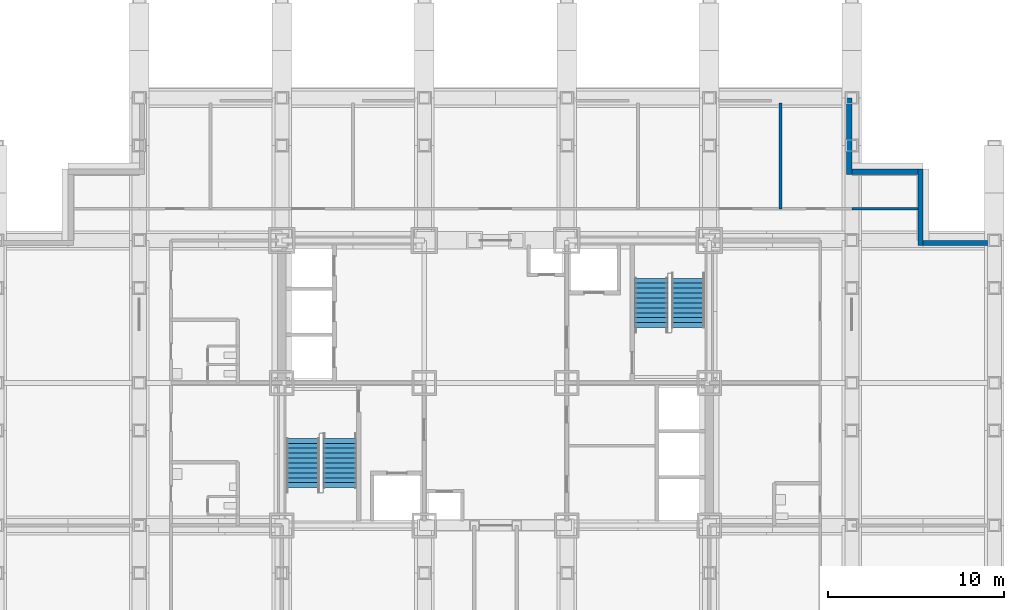
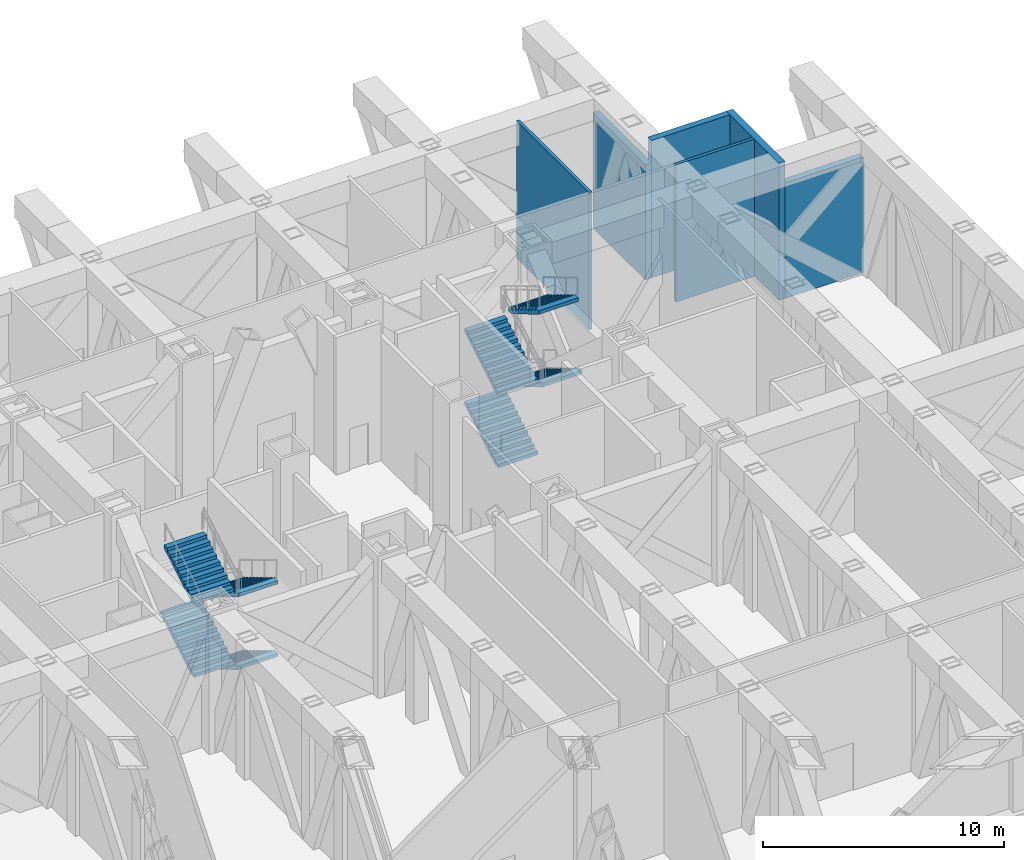
# One storey, part 11 of 13: 8 stair flights, 6 walls, 2 elements without a shape of their own.
"""IFC4 building model written with IfcOpenShell, lengths in metres."""

import ifcopenshell
import ifcopenshell.guid

model = None  # the IFC model being written
_history = None  # IfcOwnerHistory: only IFC2X3 demands one
_inside = {}  # id of a spatial element -> (the spatial element, [elements in it])
_under = {}  # id of a project, library or spatial element -> (it, [spatial elements below it])
_declared = {}  # id of a project -> (the project, [libraries it declares])
_typed = {}  # id of a type object -> (the type object, [elements of that type])
_made_of = {}  # id of a material, layer set ... -> (it, [elements and type objects made of it])


def new_model(schema):
    """Start an empty IFC model of exactly this schema.

    Asked for "IFC4X3", IfcOpenShell would pick the latest addendum, in which some entities
    have other attributes; the version numbers below select the first issue.
    IFC2X3 requires an IfcOwnerHistory on every rooted entity: one is made here for all.
    """
    global model, _history
    if schema == "IFC4X3":
        model = ifcopenshell.file(schema_version=(4, 3, 0, 0))
    else:
        model = ifcopenshell.file(schema=schema)
    _inside.clear()
    _under.clear()
    _declared.clear()
    _typed.clear()
    _made_of.clear()
    _history = None
    if model.schema == "IFC2X3":
        org = make("IfcOrganization", Name="unknown")
        user = make(
            "IfcPersonAndOrganization",
            ThePerson=make("IfcPerson", FamilyName="unknown"),
            TheOrganization=org,
        )
        app = make(
            "IfcApplication",
            ApplicationDeveloper=org,
            Version="unknown",
            ApplicationFullName="unknown",
            ApplicationIdentifier="unknown",
        )
        _history = make(
            "IfcOwnerHistory",
            OwningUser=user,
            OwningApplication=app,
            ChangeAction="ADDED",
            CreationDate=0,
        )
    return model


def make(cls, **values):
    """One entity of the class cls with the attributes given. An attribute that is None is left unset."""
    return model.create_entity(
        cls, **{name: value for name, value in values.items() if value is not None}
    )


def rooted(cls, **values):
    """An entity with a GlobalId (a new one), such as an element, a storey or a relation."""
    return make(cls, GlobalId=ifcopenshell.guid.new(), OwnerHistory=_history, **values)


def si_unit(unit_type, name, prefix=None):
    """IfcSIUnit, for example si_unit("LENGTHUNIT", "METRE", prefix="MILLI")."""
    return make("IfcSIUnit", UnitType=unit_type, Prefix=prefix, Name=name)


def assignment(units):
    """IfcUnitAssignment: the units of a project."""
    return None if units is None else make("IfcUnitAssignment", Units=units)


def point(xyz):
    """IfcCartesianPoint."""
    return None if xyz is None else make("IfcCartesianPoint", Coordinates=xyz)


def direction(xyz):
    """IfcDirection."""
    return None if xyz is None else make("IfcDirection", DirectionRatios=xyz)


def frame(location, z_axis=None, x_axis=None):
    """IfcAxis2Placement3D, a coordinate frame: its origin and axes. An axis left out is left unset."""
    return make(
        "IfcAxis2Placement3D",
        Location=point(location),
        Axis=direction(z_axis),
        RefDirection=direction(x_axis),
    )


def frame_2d(location, x_axis=None):
    """IfcAxis2Placement2D, a coordinate frame in the plane: its origin and x axis."""
    return make(
        "IfcAxis2Placement2D", Location=point(location), RefDirection=direction(x_axis)
    )


def origin():
    """The frame at (0, 0, 0) with its axes left unset."""
    return frame((0.0, 0.0, 0.0))


def place(relative_to, where):
    """IfcLocalPlacement: puts the frame where relative to a parent placement (None: the world)."""
    return make(
        "IfcLocalPlacement", PlacementRelTo=relative_to, RelativePlacement=where
    )


def context(
    kind, dimensions, precision=None, world=None, true_north=None, identifier=None
):
    """IfcGeometricRepresentationContext, for example the 3D "Model" context."""
    return make(
        "IfcGeometricRepresentationContext",
        ContextIdentifier=identifier,
        ContextType=kind,
        CoordinateSpaceDimension=dimensions,
        Precision=precision,
        WorldCoordinateSystem=world,
        TrueNorth=true_north,
    )


def subcontext(parent, identifier, kind, view, scale=None):
    """IfcGeometricRepresentationSubContext, for example "Body" below "Model"."""
    return make(
        "IfcGeometricRepresentationSubContext",
        ContextIdentifier=identifier,
        ContextType=kind,
        ParentContext=parent,
        TargetScale=scale,
        TargetView=view,
    )


def project(units=None, contexts=None):
    """IfcProject with its units and contexts."""
    return rooted(
        "IfcProject",
        Name="project",
        RepresentationContexts=contexts,
        UnitsInContext=assignment(units),
    )


def spatial(cls, under=None, at=None, **own):
    """A site, building, storey or space (cls), placed at a placement, below another one or the project."""
    s = rooted(cls, ObjectPlacement=at, **own)
    if under is not None:
        _under.setdefault(under.id(), (under, []))[1].append(s)
    return s


def point_list(points):
    """IfcCartesianPointList2D or 3D."""
    cls = (
        "IfcCartesianPointList2D" if len(points[0]) == 2 else "IfcCartesianPointList3D"
    )
    return make(cls, CoordList=points)


def profile(cls, at=None, kind="AREA", **sizes):
    """A parametric profile (cls). Its sizes go by their IFC names, for example OverallWidth=200.0."""
    return make(cls, ProfileType=kind, Position=at, **sizes)


def rectangle(**sizes):
    """IfcRectangleProfileDef."""
    return profile("IfcRectangleProfileDef", **sizes)


def extrude(swept, where, along, depth):
    """IfcExtrudedAreaSolid: the profile swept, set in the frame where, extruded along a direction by depth."""
    return make(
        "IfcExtrudedAreaSolid",
        SweptArea=swept,
        Position=where,
        ExtrudedDirection=direction(along),
        Depth=depth,
    )


def polygons(points, faces, closed=None, point_numbers=None):
    """IfcPolygonalFaceSet: a face is its outer loop, then its inner loops; points numbered from 1."""
    made = []
    for loops in faces:
        if len(loops) == 1:
            made.append(make("IfcIndexedPolygonalFace", CoordIndex=loops[0]))
        else:
            made.append(
                make(
                    "IfcIndexedPolygonalFaceWithVoids",
                    CoordIndex=loops[0],
                    InnerCoordIndices=loops[1:],
                )
            )
    return make(
        "IfcPolygonalFaceSet",
        Coordinates=point_list(points),
        Closed=closed,
        Faces=made,
        PnIndex=point_numbers,
    )


def shape(context_of_items, identifier, shape_type, items):
    """IfcShapeRepresentation: the items that make up one representation, for example the "Body"."""
    return make(
        "IfcShapeRepresentation",
        ContextOfItems=context_of_items,
        RepresentationIdentifier=identifier,
        RepresentationType=shape_type,
        Items=items,
    )


def source(mapping_origin, context_of_items, identifier, shape_type, items):
    """IfcRepresentationMap: a shape defined once, which mapped items show again and again."""
    return make(
        "IfcRepresentationMap",
        MappingOrigin=mapping_origin,
        MappedRepresentation=shape(context_of_items, identifier, shape_type, items),
    )


def transform(
    local_origin,
    x_axis=None,
    y_axis=None,
    z_axis=None,
    scale=None,
    scale2=None,
    scale3=None,
    uniform=True,
):
    """IfcCartesianTransformationOperator3D, or its non-uniform kind. x_axis, y_axis, z_axis: its Axis1, 2, 3."""
    if uniform:
        return make(
            "IfcCartesianTransformationOperator3D",
            Axis1=direction(x_axis),
            Axis2=direction(y_axis),
            LocalOrigin=point(local_origin),
            Scale=scale,
            Axis3=direction(z_axis),
        )
    return make(
        "IfcCartesianTransformationOperator3DnonUniform",
        Axis1=direction(x_axis),
        Axis2=direction(y_axis),
        LocalOrigin=point(local_origin),
        Scale=scale,
        Axis3=direction(z_axis),
        Scale2=scale2,
        Scale3=scale3,
    )


def mapped(mapping_source, mapping_target):
    """IfcMappedItem: shows the shape of a source again, moved by a transform."""
    return make(
        "IfcMappedItem", MappingSource=mapping_source, MappingTarget=mapping_target
    )


def material(Name=None, Category=None):
    """IfcMaterial."""
    return make("IfcMaterial", Name=Name, Category=Category)


def layer(
    of_material, thickness, ventilated=None, Name=None, Category=None, Priority=None
):
    """IfcMaterialLayer: one layer of a wall or slab, of a material (None: an air gap)."""
    return make(
        "IfcMaterialLayer",
        Material=of_material,
        LayerThickness=thickness,
        IsVentilated=ventilated,
        Name=Name,
        Category=Category,
        Priority=Priority,
    )


def layer_set(layers, Name=None):
    """IfcMaterialLayerSet."""
    return make("IfcMaterialLayerSet", MaterialLayers=layers, LayerSetName=Name)


def made_of(thing, what):
    """Note that an element or type object is made of a material, layer set ...; save() writes the relation."""
    if what is not None:
        _made_of.setdefault(what.id(), (what, []))[1].append(thing)
    return thing


def type_object(cls, material=None, **own):
    """A type object (cls), such as IfcWallType, which elements share."""
    return made_of(rooted(cls, **own), material)


def element(
    cls,
    number,
    at=None,
    inside=None,
    cuts=None,
    type_object=None,
    material=None,
    context=None,
    identifier="Body",
    shape_type=None,
    held_by="IfcProductDefinitionShape",
    body=None,
    shapes=None,
    **own,
):
    """One element of the class cls, such as IfcWall. Its Tag is "e" and its number.

    at: its placement. inside: the storey or other place that contains it. cuts: it is an
    opening in that element (IfcRelVoidsElement). A single representation is given by context,
    identifier, shape_type and body (its items); several are given by shapes. held_by: the class
    of the entity that holds the representations. save() writes the other relations.
    """
    e = rooted(cls, Tag="e%d" % number, ObjectPlacement=at, **own)
    if body is not None:
        shapes = [shape(context, identifier, shape_type, body)]
    if shapes is not None:
        e.Representation = make(held_by, Representations=shapes)
    if inside is not None:
        _inside.setdefault(inside.id(), (inside, []))[1].append(e)
    if cuts is not None:
        rooted(
            "IfcRelVoidsElement", RelatingBuildingElement=cuts, RelatedOpeningElement=e
        )
    if type_object is not None:
        _typed.setdefault(type_object.id(), (type_object, []))[1].append(e)
    return made_of(e, material)


def aggregate(whole, parts):
    """IfcRelAggregates: a whole, such as a stair, and the parts it consists of."""
    return rooted("IfcRelAggregates", RelatingObject=whole, RelatedObjects=parts)


def save(model, path):
    """Write the relations noted so far, then the file.

    IfcRelAggregates (storeys below a building ...), IfcRelContainedInSpatialStructure (elements
    in a storey), IfcRelDefinesByType, IfcRelAssociatesMaterial and IfcRelDeclares: one each for
    every whole, place, type object, material and project.
    """
    for whole, parts in _under.values():
        aggregate(whole, parts)
    for where, things in _inside.values():
        rooted(
            "IfcRelContainedInSpatialStructure",
            RelatedElements=things,
            RelatingStructure=where,
        )
    for kind, things in _typed.values():
        rooted("IfcRelDefinesByType", RelatedObjects=things, RelatingType=kind)
    for what, things in _made_of.values():
        rooted("IfcRelAssociatesMaterial", RelatedObjects=things, RelatingMaterial=what)
    for by, libraries in _declared.values():
        rooted("IfcRelDeclares", RelatingContext=by, RelatedDefinitions=libraries)
    model.write(path)


model = new_model("IFC4")

# Units and contexts
model_context = context("Model", 3, precision=1e-05, world=origin(), true_north=direction((0.0, 1.0)))
body_context = subcontext(model_context, "Body", "Model", "MODEL_VIEW")
ifc_project = project(units=[si_unit("LENGTHUNIT", "METRE"), si_unit("AREAUNIT", "SQUARE_METRE"), si_unit("VOLUMEUNIT", "CUBIC_METRE"), si_unit("PLANEANGLEUNIT", "RADIAN"), si_unit("MASSUNIT", "GRAM", prefix="KILO")], contexts=[model_context])

# Site, building, storey
site_placement = place(None, origin())
site = spatial("IfcSite", under=ifc_project, at=site_placement, CompositionType="ELEMENT")
building_placement = place(site_placement, origin())
building = spatial("IfcBuilding", under=site, at=building_placement, Name="Kopane Lantern Tower", CompositionType="ELEMENT")
storey_placement = place(building_placement, frame((0.0, 0.0, 90.800048828125)))
storey = spatial("IfcBuildingStorey", under=building, at=storey_placement, Name="L23", CompositionType="ELEMENT", Elevation=90.800048828125)

# Walls
ifc_material_1 = material(Name="Gypsum board on steel studs", Category="steel")
ifc_layer_1 = layer(ifc_material_1, 0.14990234375)
ifc_layer_set_1 = layer_set([ifc_layer_1], Name="DEMISING WALL 150 EI 60")
wall_type_1 = type_object("IfcWallType", Name="DEMISING WALL 150 EI 60", PredefinedType="PARTITIONING", material=ifc_layer_set_1)
wall_1_placement = place(storey_placement, frame((48.60009765625, 42.300048828125, 0.0), z_axis=(0.0, 0.0, 1.0), x_axis=(1.0, 0.0, 0.0)))
element("IfcWall", 1, at=wall_1_placement, inside=storey, type_object=wall_type_1, Name="Demising Wall 150 Ei 60 L23", PredefinedType="PARTITIONING", context=body_context, shape_type="SweptSolid", body=[
    extrude(rectangle(XDim=3.75, YDim=0.14990234375, at=frame_2d((1.875, 0.0))), origin(), (0.0, 0.0, 1.0), 6.949951171875),
])
wall_2_placement = place(storey_placement, frame((44.550048828125, 42.300048828125, 0.0), z_axis=(0.0, 0.0, 1.0), x_axis=(0.0, 1.0, 0.0)))
element("IfcWall", 2, at=wall_2_placement, inside=storey, type_object=wall_type_1, Name="Demising Wall 150 Ei 60 L23", PredefinedType="PARTITIONING", context=body_context, shape_type="SweptSolid", body=[
    extrude(rectangle(XDim=6.0, YDim=0.14990234375, at=frame_2d((3.0, 0.0))), origin(), (0.0, 0.0, 1.0), 6.949951171875),
])
ifc_material_2 = material(Name="Terracotta rainscreen on light steel framing", Category="masonry")
ifc_layer_2 = layer(ifc_material_2, 0.300048828125)
ifc_layer_set_2 = layer_set([ifc_layer_2], Name="EXTERNAL WALL EW1 300 TERRACOTTA")
wall_type_2 = type_object("IfcWallType", Name="EXTERNAL WALL EW1 300 TERRACOTTA", PredefinedType="SOLIDWALL", material=ifc_layer_set_2)
wall_3_placement = place(storey_placement, frame((56.39990234375, 40.35009765625, 0.0), z_axis=(0.0, 0.0, 1.0), x_axis=(-1.0, 0.0, 0.0)))
element("IfcWall", 3, at=wall_3_placement, inside=storey, type_object=wall_type_2, Name="External wall N L23", PredefinedType="SOLIDWALL", context=body_context, shape_type="SweptSolid", body=[
    extrude(rectangle(XDim=3.75, YDim=0.300048828125, at=frame_2d((1.875, 0.0))), origin(), (0.0, 0.0, 1.0), 5.849853515625),
])
wall_4_placement = place(storey_placement, frame((52.5, 40.199951171875, 0.0), z_axis=(0.0, 0.0, 1.0), x_axis=(0.0, 1.0, 0.0)))
element("IfcWall", 4, at=wall_4_placement, inside=storey, type_object=wall_type_2, Name="External wall E L23", PredefinedType="SOLIDWALL", context=body_context, shape_type="SweptSolid", body=[
    extrude(rectangle(XDim=4.35009765625, YDim=0.300048828125, at=frame_2d((2.175048828125, 0.0))), origin(), (0.0, 0.0, 1.0), 6.949951171875),
])
wall_5_placement = place(storey_placement, frame((52.35009765625, 44.39990234375, 0.0), z_axis=(0.0, 0.0, 1.0), x_axis=(-1.0, 0.0, 0.0)))
element("IfcWall", 5, at=wall_5_placement, inside=storey, type_object=wall_type_2, Name="External wall N L23", PredefinedType="SOLIDWALL", context=body_context, shape_type="SweptSolid", body=[
    extrude(rectangle(XDim=3.75, YDim=0.300048828125, at=frame_2d((1.875, 0.0))), origin(), (0.0, 0.0, 1.0), 6.949951171875),
])
wall_6_placement = place(storey_placement, frame((48.449951171875, 44.25, 0.0), z_axis=(0.0, 0.0, 1.0), x_axis=(0.0, 1.0, 0.0)))
element("IfcWall", 6, at=wall_6_placement, inside=storey, type_object=wall_type_2, Name="External wall E L23", PredefinedType="SOLIDWALL", context=body_context, shape_type="SweptSolid", body=[
    extrude(rectangle(XDim=4.35009765625, YDim=0.300048828125, at=frame_2d((2.175048828125, 0.0))), origin(), (0.0, 0.0, 1.0), 5.849853515625),
])

# Stair, stair flights
ifc_material_3 = material(Name="Steel S355JR", Category="steel")
stair_type = type_object("IfcStairType", Name="EXIT STAIR 1900 HALF TURN", PredefinedType="HALF_TURN_STAIR", material=ifc_material_3)
stair_1_placement = place(storey_placement, origin())
stair_1 = element("IfcStair", 7, at=stair_1_placement, inside=storey, type_object=stair_type, Name="Exit stair ST1 L23", PredefinedType="HALF_TURN_STAIR")
ifc_material_4 = material(Name="Steel S355JR", Category="steel")
stair_flight_type = type_object("IfcStairFlightType", Name="STAIR FLIGHT 1900 STEEL", PredefinedType="STRAIGHT", material=ifc_material_4)
shared_shape_1 = source(origin(), body_context, "Body", "Tessellation", [
    polygons([(2.800048828, 0.949951172, 1.674316406), (2.520019531, 0.949951172, 1.674316406), (2.520019531, -0.949951172, 1.674316406), (2.800048828, -0.949951172, 1.674316406), (0.291992188, 0.949951172, 0.0), (2.800048828, 0.949951172, 1.499755859), (2.800048828, -0.949951172, 1.499755859), (0.291992188, -0.949951172, 0.0), (0.0, 0.949951172, 0.0), (0.0, -0.949951172, 0.0), (0.280029297, 0.949951172, 0.167480469), (0.0, 0.949951172, 0.167480469), (0.0, -0.949951172, 0.167480469), (0.280029297, -0.949951172, 0.167480469), (0.280029297, 0.949951172, 0.334960938), (0.280029297, -0.949951172, 0.334960938), (0.560058594, 0.949951172, 0.334960938), (0.560058594, -0.949951172, 0.334960938), (0.560058594, 0.949951172, 0.502441406), (0.560058594, -0.949951172, 0.502441406), (0.840087891, 0.949951172, 0.502441406), (0.840087891, -0.949951172, 0.502441406), (0.840087891, 0.949951172, 0.669677734), (0.840087891, -0.949951172, 0.669677734), (1.120117188, 0.949951172, 0.669677734), (1.120117188, -0.949951172, 0.669677734), (1.120117188, 0.949951172, 0.837158203), (1.120117188, -0.949951172, 0.837158203), (1.399902344, 0.949951172, 0.837158203), (1.399902344, -0.949951172, 0.837158203), (1.399902344, 0.949951172, 1.004638672), (1.399902344, -0.949951172, 1.004638672), (1.679931641, 0.949951172, 1.004638672), (1.679931641, -0.949951172, 1.004638672), (1.679931641, 0.949951172, 1.172119141), (1.679931641, -0.949951172, 1.172119141), (1.959960938, 0.949951172, 1.172119141), (1.959960938, -0.949951172, 1.172119141), (1.959960938, 0.949951172, 1.339599609), (1.959960938, -0.949951172, 1.339599609), (2.239990234, 0.949951172, 1.339599609), (2.239990234, -0.949951172, 1.339599609), (2.239990234, 0.949951172, 1.507080078), (2.239990234, -0.949951172, 1.507080078), (2.520019531, 0.949951172, 1.507080078), (2.520019531, -0.949951172, 1.507080078), (0.0, 0.0, 0.004526499), (0.0, 0.0, 0.009052998), (0.0, 0.0, 0.013579497), (0.0, 0.0, 0.018105997), (0.0, 0.0, 0.022632496), (0.0, 0.0, 0.027158995), (0.0, 0.0, 0.031685494), (0.0, 0.0, 0.036211993), (0.0, 0.0, 0.040738492), (0.0, 0.0, 0.045264992), (0.0, 0.0, 0.049791491), (0.0, 0.0, 0.05431799), (0.0, 0.0, 0.058844489), (0.0, 0.0, 0.063370988), (0.0, 0.0, 0.067897487), (0.0, 0.0, 0.072423986), (0.0, 0.0, 0.076950486), (0.0, 0.0, 0.081476985), (0.0, 0.0, 0.086003484), (0.0, 0.0, 0.090529983), (0.0, 0.0, 0.095056482), (0.0, 0.0, 0.099582981), (0.0, 0.0, 0.104109481), (0.0, 0.0, 0.10863598), (0.0, 0.0, 0.113162479), (0.0, 0.0, 0.117688978), (0.0, 0.0, 0.122215477), (0.0, 0.0, 0.126741976), (0.0, 0.0, 0.131268476), (0.0, 0.0, 0.135794975), (0.0, 0.0, 0.140321474), (0.0, 0.0, 0.144847973), (0.0, 0.0, 0.149374472), (0.0, 0.0, 0.153900971), (0.0, 0.0, 0.15842747), (0.0, 0.0, 0.16295397), (2.800048828, 0.0, 1.504473712), (2.800048828, 0.0, 1.509191565), (2.800048828, 0.0, 1.513909417), (2.800048828, 0.0, 1.51862727), (2.800048828, 0.0, 1.523345122), (2.800048828, 0.0, 1.528062975), (2.800048828, 0.0, 1.532780828), (2.800048828, 0.0, 1.53749868), (2.800048828, 0.0, 1.542216533), (2.800048828, 0.0, 1.546934386), (2.800048828, 0.0, 1.551652238), (2.800048828, 0.0, 1.556370091), (2.800048828, 0.0, 1.561087943), (2.800048828, 0.0, 1.565805796), (2.800048828, 0.0, 1.570523649), (2.800048828, 0.0, 1.575241501), (2.800048828, 0.0, 1.579959354), (2.800048828, 0.0, 1.584677207), (2.800048828, 0.0, 1.589395059), (2.800048828, 0.0, 1.594112912), (2.800048828, 0.0, 1.598830764), (2.800048828, 0.0, 1.603548617), (2.800048828, 0.0, 1.60826647), (2.800048828, 0.0, 1.612984322), (2.800048828, 0.0, 1.617702175), (2.800048828, 0.0, 1.622420027), (2.800048828, 0.0, 1.62713788), (2.800048828, 0.0, 1.631855733), (2.800048828, 0.0, 1.636573585), (2.800048828, 0.0, 1.641291438), (2.800048828, 0.0, 1.646009291), (2.800048828, 0.0, 1.650727143), (2.800048828, 0.0, 1.655444996), (2.800048828, 0.0, 1.660162848), (2.800048828, 0.0, 1.664880701), (2.800048828, 0.0, 1.669598554)], [[[1, 2, 3]], [[1, 3, 4]], [[5, 6, 7]], [[5, 7, 8]], [[9, 5, 8]], [[9, 8, 10]], [[11, 12, 13]], [[11, 13, 14]], [[15, 11, 14]], [[15, 14, 16]], [[17, 15, 16]], [[17, 16, 18]], [[19, 17, 18]], [[19, 18, 20]], [[21, 19, 20]], [[21, 20, 22]], [[23, 21, 22]], [[23, 22, 24]], [[25, 23, 24]], [[25, 24, 26]], [[27, 25, 26]], [[27, 26, 28]], [[29, 27, 28]], [[29, 28, 30]], [[31, 29, 30]], [[31, 30, 32]], [[33, 31, 32]], [[33, 32, 34]], [[35, 33, 34]], [[35, 34, 36]], [[37, 35, 36]], [[37, 36, 38]], [[39, 37, 38]], [[39, 38, 40]], [[41, 39, 40]], [[41, 40, 42]], [[43, 41, 42]], [[43, 42, 44]], [[45, 43, 44]], [[45, 44, 46]], [[2, 45, 46]], [[2, 46, 3]], [[45, 1, 6]], [[41, 45, 6]], [[2, 1, 45]], [[37, 41, 6]], [[43, 45, 41]], [[39, 41, 37]], [[35, 37, 33]], [[31, 33, 29]], [[5, 21, 25]], [[27, 29, 25]], [[17, 21, 5]], [[23, 25, 21]], [[11, 17, 5]], [[19, 21, 17]], [[9, 11, 5]], [[15, 17, 11]], [[12, 11, 9]], [[6, 5, 25]], [[6, 25, 29]], [[6, 29, 33]], [[6, 33, 37]], [[7, 4, 46]], [[7, 46, 42]], [[46, 4, 3]], [[7, 42, 38]], [[42, 46, 44]], [[38, 42, 40]], [[34, 38, 36]], [[30, 34, 32]], [[26, 22, 8]], [[26, 30, 28]], [[8, 22, 18]], [[22, 26, 24]], [[8, 18, 14]], [[18, 22, 20]], [[8, 14, 10]], [[14, 18, 16]], [[10, 14, 13]], [[26, 8, 7]], [[30, 26, 7]], [[34, 30, 7]], [[38, 34, 7]], [[10, 47, 9]], [[10, 48, 47]], [[9, 47, 48]], [[10, 49, 48]], [[9, 48, 49]], [[10, 50, 49]], [[9, 49, 50]], [[10, 51, 50]], [[9, 50, 51]], [[10, 52, 51]], [[9, 51, 52]], [[10, 53, 52]], [[9, 52, 53]], [[10, 54, 53]], [[9, 53, 54]], [[10, 55, 54]], [[9, 54, 55]], [[10, 56, 55]], [[9, 55, 56]], [[10, 57, 56]], [[9, 56, 57]], [[10, 58, 57]], [[9, 57, 58]], [[10, 59, 58]], [[9, 58, 59]], [[10, 60, 59]], [[9, 59, 60]], [[10, 61, 60]], [[9, 60, 61]], [[10, 62, 61]], [[9, 61, 62]], [[10, 63, 62]], [[9, 62, 63]], [[10, 64, 63]], [[9, 63, 64]], [[10, 65, 64]], [[9, 64, 65]], [[10, 66, 65]], [[9, 65, 66]], [[10, 67, 66]], [[9, 66, 67]], [[10, 68, 67]], [[9, 67, 68]], [[10, 69, 68]], [[9, 68, 69]], [[10, 70, 69]], [[9, 69, 70]], [[10, 71, 70]], [[9, 70, 71]], [[10, 72, 71]], [[9, 71, 72]], [[10, 73, 72]], [[9, 72, 73]], [[10, 74, 73]], [[9, 73, 74]], [[10, 75, 74]], [[9, 74, 75]], [[10, 76, 75]], [[9, 75, 76]], [[10, 77, 76]], [[9, 76, 77]], [[10, 78, 77]], [[9, 77, 78]], [[10, 79, 78]], [[9, 78, 79]], [[10, 80, 79]], [[9, 79, 80]], [[10, 81, 80]], [[9, 80, 81]], [[10, 82, 81]], [[9, 81, 82]], [[10, 13, 82]], [[82, 13, 12]], [[9, 82, 12]], [[7, 6, 83]], [[7, 83, 84]], [[6, 84, 83]], [[7, 84, 85]], [[6, 85, 84]], [[7, 85, 86]], [[6, 86, 85]], [[7, 86, 87]], [[6, 87, 86]], [[7, 87, 88]], [[6, 88, 87]], [[7, 88, 89]], [[6, 89, 88]], [[7, 89, 90]], [[6, 90, 89]], [[7, 90, 91]], [[6, 91, 90]], [[7, 91, 92]], [[6, 92, 91]], [[7, 92, 93]], [[6, 93, 92]], [[7, 93, 94]], [[6, 94, 93]], [[7, 94, 95]], [[6, 95, 94]], [[7, 95, 96]], [[6, 96, 95]], [[7, 96, 97]], [[6, 97, 96]], [[7, 97, 98]], [[6, 98, 97]], [[7, 98, 99]], [[6, 99, 98]], [[7, 99, 100]], [[6, 100, 99]], [[7, 100, 101]], [[6, 101, 100]], [[7, 101, 102]], [[6, 102, 101]], [[7, 102, 103]], [[6, 103, 102]], [[7, 103, 104]], [[6, 104, 103]], [[7, 104, 105]], [[6, 105, 104]], [[7, 105, 106]], [[6, 106, 105]], [[7, 106, 107]], [[6, 107, 106]], [[7, 107, 108]], [[6, 108, 107]], [[7, 108, 109]], [[6, 109, 108]], [[7, 109, 110]], [[6, 110, 109]], [[7, 110, 111]], [[6, 111, 110]], [[7, 111, 112]], [[6, 112, 111]], [[7, 112, 113]], [[6, 113, 112]], [[7, 113, 114]], [[6, 114, 113]], [[7, 114, 115]], [[6, 115, 114]], [[7, 115, 116]], [[6, 116, 115]], [[7, 116, 117]], [[6, 117, 116]], [[7, 117, 118]], [[6, 118, 117]], [[7, 118, 4]], [[118, 1, 4]], [[6, 1, 118]]], closed=True),
])
stair_flight_1_placement = place(storey_placement, frame((19.5, 29.25, 0.0), z_axis=(0.0, 0.0, 1.0), x_axis=(0.0, -1.0, 0.0)))
stair_flight_1 = element("IfcStairFlight", 8, at=stair_flight_1_placement, type_object=stair_flight_type, Name="ST1 flight 1", NumberOfRisers=11, NumberOfTreads=10, PredefinedType="STRAIGHT", RiserHeight=0.16744186, TreadLength=0.28, context=body_context, shape_type="MappedRepresentation", body=[
    mapped(shared_shape_1, transform((0.0, 0.0, 0.0))),
])
stair_flight_2_placement = place(storey_placement, frame((17.39990234375, 26.449951171875, 1.841796875), z_axis=(0.0, 0.0, 1.0), x_axis=(0.0, 1.0, 0.0)))
stair_flight_2 = element("IfcStairFlight", 9, at=stair_flight_2_placement, type_object=stair_flight_type, Name="ST1 flight 2", NumberOfRisers=11, NumberOfTreads=10, PredefinedType="STRAIGHT", RiserHeight=0.16744186, TreadLength=0.28, context=body_context, shape_type="MappedRepresentation", body=[
    mapped(shared_shape_1, transform((0.0, 0.0, 0.0))),
])
stair_flight_3_placement = place(storey_placement, frame((19.5, 29.25, 3.68359375), z_axis=(0.0, 0.0, 1.0), x_axis=(0.0, -1.0, 0.0)))
stair_flight_3 = element("IfcStairFlight", 10, at=stair_flight_3_placement, type_object=stair_flight_type, Name="ST1 flight 3", NumberOfRisers=11, NumberOfTreads=10, PredefinedType="STRAIGHT", RiserHeight=0.16744186, TreadLength=0.28, context=body_context, shape_type="MappedRepresentation", body=[
    mapped(shared_shape_1, transform((0.0, 0.0, 0.0))),
])

stair_2_placement = place(storey_placement, origin())
stair_2 = element("IfcStair", 11, at=stair_2_placement, inside=storey, type_object=stair_type, Name="Exit stair ST2 L23", PredefinedType="HALF_TURN_STAIR")
stair_flight_4_placement = place(storey_placement, frame((37.199951171875, 35.550048828125, 0.0), z_axis=(0.0, 0.0, 1.0), x_axis=(0.0, 1.0, 0.0)))
stair_flight_4 = element("IfcStairFlight", 12, at=stair_flight_4_placement, type_object=stair_flight_type, Name="ST2 flight 1", NumberOfRisers=11, NumberOfTreads=10, PredefinedType="STRAIGHT", RiserHeight=0.16744186, TreadLength=0.28, context=body_context, shape_type="MappedRepresentation", body=[
    mapped(shared_shape_1, transform((0.0, 0.0, 0.0))),
])
stair_flight_5_placement = place(storey_placement, frame((39.300048828125, 38.35009765625, 1.841796875), z_axis=(0.0, 0.0, 1.0), x_axis=(0.0, -1.0, 0.0)))
stair_flight_5 = element("IfcStairFlight", 13, at=stair_flight_5_placement, type_object=stair_flight_type, Name="ST2 flight 2", NumberOfRisers=11, NumberOfTreads=10, PredefinedType="STRAIGHT", RiserHeight=0.16744186, TreadLength=0.28, context=body_context, shape_type="MappedRepresentation", body=[
    mapped(shared_shape_1, transform((0.0, 0.0, 0.0))),
])
stair_flight_6_placement = place(storey_placement, frame((37.199951171875, 35.550048828125, 3.68359375), z_axis=(0.0, 0.0, 1.0), x_axis=(0.0, 1.0, 0.0)))
stair_flight_6 = element("IfcStairFlight", 14, at=stair_flight_6_placement, type_object=stair_flight_type, Name="ST2 flight 3", NumberOfRisers=11, NumberOfTreads=10, PredefinedType="STRAIGHT", RiserHeight=0.16744186, TreadLength=0.28, context=body_context, shape_type="MappedRepresentation", body=[
    mapped(shared_shape_1, transform((0.0, 0.0, 0.0))),
])

# Stair flight
shared_shape_2 = source(origin(), body_context, "Body", "Tessellation", [
    polygons([(2.520019531, 0.949951172, 1.507080078), (2.239990234, 0.949951172, 1.507080078), (2.239990234, -0.949951172, 1.507080078), (2.520019531, -0.949951172, 1.507080078), (0.291992188, 0.949951172, 0.0), (2.520019531, 0.949951172, 1.332275391), (2.520019531, -0.949951172, 1.332275391), (0.291992188, -0.949951172, 0.0), (0.0, 0.949951172, 0.0), (0.0, -0.949951172, 0.0), (0.280029297, 0.949951172, 0.167480469), (0.0, 0.949951172, 0.167480469), (0.0, -0.949951172, 0.167480469), (0.280029297, -0.949951172, 0.167480469), (0.280029297, 0.949951172, 0.334960938), (0.280029297, -0.949951172, 0.334960938), (0.560058594, 0.949951172, 0.334960938), (0.560058594, -0.949951172, 0.334960938), (0.560058594, 0.949951172, 0.502441406), (0.560058594, -0.949951172, 0.502441406), (0.840087891, 0.949951172, 0.502441406), (0.840087891, -0.949951172, 0.502441406), (0.840087891, 0.949951172, 0.669677734), (0.840087891, -0.949951172, 0.669677734), (1.120117188, 0.949951172, 0.669677734), (1.120117188, -0.949951172, 0.669677734), (1.120117188, 0.949951172, 0.837158203), (1.120117188, -0.949951172, 0.837158203), (1.399902344, 0.949951172, 0.837158203), (1.399902344, -0.949951172, 0.837158203), (1.399902344, 0.949951172, 1.004638672), (1.399902344, -0.949951172, 1.004638672), (1.679931641, 0.949951172, 1.004638672), (1.679931641, -0.949951172, 1.004638672), (1.679931641, 0.949951172, 1.172119141), (1.679931641, -0.949951172, 1.172119141), (1.959960938, 0.949951172, 1.172119141), (1.959960938, -0.949951172, 1.172119141), (1.959960938, 0.949951172, 1.339599609), (1.959960938, -0.949951172, 1.339599609), (2.239990234, 0.949951172, 1.339599609), (2.239990234, -0.949951172, 1.339599609), (0.0, 0.0, 0.004526499), (0.0, 0.0, 0.009052998), (0.0, 0.0, 0.013579497), (0.0, 0.0, 0.018105997), (0.0, 0.0, 0.022632496), (0.0, 0.0, 0.027158995), (0.0, 0.0, 0.031685494), (0.0, 0.0, 0.036211993), (0.0, 0.0, 0.040738492), (0.0, 0.0, 0.045264992), (0.0, 0.0, 0.049791491), (0.0, 0.0, 0.05431799), (0.0, 0.0, 0.058844489), (0.0, 0.0, 0.063370988), (0.0, 0.0, 0.067897487), (0.0, 0.0, 0.072423986), (0.0, 0.0, 0.076950486), (0.0, 0.0, 0.081476985), (0.0, 0.0, 0.086003484), (0.0, 0.0, 0.090529983), (0.0, 0.0, 0.095056482), (0.0, 0.0, 0.099582981), (0.0, 0.0, 0.104109481), (0.0, 0.0, 0.10863598), (0.0, 0.0, 0.113162479), (0.0, 0.0, 0.117688978), (0.0, 0.0, 0.122215477), (0.0, 0.0, 0.126741976), (0.0, 0.0, 0.131268476), (0.0, 0.0, 0.135794975), (0.0, 0.0, 0.140321474), (0.0, 0.0, 0.144847973), (0.0, 0.0, 0.149374472), (0.0, 0.0, 0.153900971), (0.0, 0.0, 0.15842747), (0.0, 0.0, 0.16295397), (2.520019531, 0.0, 1.336999842), (2.520019531, 0.0, 1.341724293), (2.520019531, 0.0, 1.346448744), (2.520019531, 0.0, 1.351173195), (2.520019531, 0.0, 1.355897646), (2.520019531, 0.0, 1.360622097), (2.520019531, 0.0, 1.365346548), (2.520019531, 0.0, 1.370070999), (2.520019531, 0.0, 1.37479545), (2.520019531, 0.0, 1.379519901), (2.520019531, 0.0, 1.384244352), (2.520019531, 0.0, 1.388968803), (2.520019531, 0.0, 1.393693254), (2.520019531, 0.0, 1.398417705), (2.520019531, 0.0, 1.403142156), (2.520019531, 0.0, 1.407866607), (2.520019531, 0.0, 1.412591058), (2.520019531, 0.0, 1.417315509), (2.520019531, 0.0, 1.42203996), (2.520019531, 0.0, 1.426764411), (2.520019531, 0.0, 1.431488862), (2.520019531, 0.0, 1.436213313), (2.520019531, 0.0, 1.440937764), (2.520019531, 0.0, 1.445662215), (2.520019531, 0.0, 1.450386666), (2.520019531, 0.0, 1.455111117), (2.520019531, 0.0, 1.459835568), (2.520019531, 0.0, 1.464560019), (2.520019531, 0.0, 1.46928447), (2.520019531, 0.0, 1.474008921), (2.520019531, 0.0, 1.478733372), (2.520019531, 0.0, 1.483457823), (2.520019531, 0.0, 1.488182274), (2.520019531, 0.0, 1.492906725), (2.520019531, 0.0, 1.497631176), (2.520019531, 0.0, 1.502355627)], [[[1, 2, 3]], [[1, 3, 4]], [[5, 6, 7]], [[5, 7, 8]], [[9, 5, 8]], [[9, 8, 10]], [[11, 12, 13]], [[11, 13, 14]], [[15, 11, 14]], [[15, 14, 16]], [[17, 15, 16]], [[17, 16, 18]], [[19, 17, 18]], [[19, 18, 20]], [[21, 19, 20]], [[21, 20, 22]], [[23, 21, 22]], [[23, 22, 24]], [[25, 23, 24]], [[25, 24, 26]], [[27, 25, 26]], [[27, 26, 28]], [[29, 27, 28]], [[29, 28, 30]], [[31, 29, 30]], [[31, 30, 32]], [[33, 31, 32]], [[33, 32, 34]], [[35, 33, 34]], [[35, 34, 36]], [[37, 35, 36]], [[37, 36, 38]], [[39, 37, 38]], [[39, 38, 40]], [[41, 39, 40]], [[41, 40, 42]], [[2, 41, 42]], [[2, 42, 3]], [[41, 1, 6]], [[37, 41, 6]], [[2, 1, 41]], [[33, 37, 6]], [[39, 41, 37]], [[35, 37, 33]], [[31, 33, 29]], [[5, 21, 25]], [[27, 29, 25]], [[17, 21, 5]], [[23, 25, 21]], [[11, 17, 5]], [[19, 21, 17]], [[9, 11, 5]], [[15, 17, 11]], [[12, 11, 9]], [[6, 5, 25]], [[6, 25, 29]], [[6, 29, 33]], [[7, 4, 42]], [[7, 42, 38]], [[42, 4, 3]], [[7, 38, 34]], [[38, 42, 40]], [[34, 38, 36]], [[30, 34, 32]], [[26, 22, 8]], [[26, 30, 28]], [[8, 22, 18]], [[22, 26, 24]], [[8, 18, 14]], [[18, 22, 20]], [[8, 14, 10]], [[14, 18, 16]], [[10, 14, 13]], [[26, 8, 7]], [[30, 26, 7]], [[34, 30, 7]], [[10, 43, 9]], [[10, 44, 43]], [[9, 43, 44]], [[10, 45, 44]], [[9, 44, 45]], [[10, 46, 45]], [[9, 45, 46]], [[10, 47, 46]], [[9, 46, 47]], [[10, 48, 47]], [[9, 47, 48]], [[10, 49, 48]], [[9, 48, 49]], [[10, 50, 49]], [[9, 49, 50]], [[10, 51, 50]], [[9, 50, 51]], [[10, 52, 51]], [[9, 51, 52]], [[10, 53, 52]], [[9, 52, 53]], [[10, 54, 53]], [[9, 53, 54]], [[10, 55, 54]], [[9, 54, 55]], [[10, 56, 55]], [[9, 55, 56]], [[10, 57, 56]], [[9, 56, 57]], [[10, 58, 57]], [[9, 57, 58]], [[10, 59, 58]], [[9, 58, 59]], [[10, 60, 59]], [[9, 59, 60]], [[10, 61, 60]], [[9, 60, 61]], [[10, 62, 61]], [[9, 61, 62]], [[10, 63, 62]], [[9, 62, 63]], [[10, 64, 63]], [[9, 63, 64]], [[10, 65, 64]], [[9, 64, 65]], [[10, 66, 65]], [[9, 65, 66]], [[10, 67, 66]], [[9, 66, 67]], [[10, 68, 67]], [[9, 67, 68]], [[10, 69, 68]], [[9, 68, 69]], [[10, 70, 69]], [[9, 69, 70]], [[10, 71, 70]], [[9, 70, 71]], [[10, 72, 71]], [[9, 71, 72]], [[10, 73, 72]], [[9, 72, 73]], [[10, 74, 73]], [[9, 73, 74]], [[10, 75, 74]], [[9, 74, 75]], [[10, 76, 75]], [[9, 75, 76]], [[10, 77, 76]], [[9, 76, 77]], [[10, 78, 77]], [[9, 77, 78]], [[10, 13, 78]], [[78, 13, 12]], [[9, 78, 12]], [[7, 6, 79]], [[7, 79, 80]], [[6, 80, 79]], [[7, 80, 81]], [[6, 81, 80]], [[7, 81, 82]], [[6, 82, 81]], [[7, 82, 83]], [[6, 83, 82]], [[7, 83, 84]], [[6, 84, 83]], [[7, 84, 85]], [[6, 85, 84]], [[7, 85, 86]], [[6, 86, 85]], [[7, 86, 87]], [[6, 87, 86]], [[7, 87, 88]], [[6, 88, 87]], [[7, 88, 89]], [[6, 89, 88]], [[7, 89, 90]], [[6, 90, 89]], [[7, 90, 91]], [[6, 91, 90]], [[7, 91, 92]], [[6, 92, 91]], [[7, 92, 93]], [[6, 93, 92]], [[7, 93, 94]], [[6, 94, 93]], [[7, 94, 95]], [[6, 95, 94]], [[7, 95, 96]], [[6, 96, 95]], [[7, 96, 97]], [[6, 97, 96]], [[7, 97, 98]], [[6, 98, 97]], [[7, 98, 99]], [[6, 99, 98]], [[7, 99, 100]], [[6, 100, 99]], [[7, 100, 101]], [[6, 101, 100]], [[7, 101, 102]], [[6, 102, 101]], [[7, 102, 103]], [[6, 103, 102]], [[7, 103, 104]], [[6, 104, 103]], [[7, 104, 105]], [[6, 105, 104]], [[7, 105, 106]], [[6, 106, 105]], [[7, 106, 107]], [[6, 107, 106]], [[7, 107, 108]], [[6, 108, 107]], [[7, 108, 109]], [[6, 109, 108]], [[7, 109, 110]], [[6, 110, 109]], [[7, 110, 111]], [[6, 111, 110]], [[7, 111, 112]], [[6, 112, 111]], [[7, 112, 113]], [[6, 113, 112]], [[7, 113, 114]], [[6, 114, 113]], [[7, 114, 4]], [[114, 1, 4]], [[6, 1, 114]]], closed=True),
])
stair_flight_7_placement = place(storey_placement, frame((17.39990234375, 26.449951171875, 5.525634765625), z_axis=(0.0, 0.0, 1.0), x_axis=(0.0, 1.0, 0.0)))
stair_flight_7 = element("IfcStairFlight", 15, at=stair_flight_7_placement, type_object=stair_flight_type, Name="ST1 flight 4", NumberOfRisers=10, NumberOfTreads=9, PredefinedType="STRAIGHT", RiserHeight=0.16744186, TreadLength=0.28, context=body_context, shape_type="MappedRepresentation", body=[
    mapped(shared_shape_2, transform((0.0, 0.0, 0.0))),
])

aggregate(stair_1, [stair_flight_1, stair_flight_2, stair_flight_3, stair_flight_7])

stair_flight_8_placement = place(storey_placement, frame((39.300048828125, 38.35009765625, 5.525634765625), z_axis=(0.0, 0.0, 1.0), x_axis=(0.0, -1.0, 0.0)))
stair_flight_8 = element("IfcStairFlight", 16, at=stair_flight_8_placement, type_object=stair_flight_type, Name="ST2 flight 4", NumberOfRisers=10, NumberOfTreads=9, PredefinedType="STRAIGHT", RiserHeight=0.16744186, TreadLength=0.28, context=body_context, shape_type="MappedRepresentation", body=[
    mapped(shared_shape_2, transform((0.0, 0.0, 0.0))),
])

aggregate(stair_2, [stair_flight_4, stair_flight_5, stair_flight_6, stair_flight_8])

save(model, "model.ifc")
